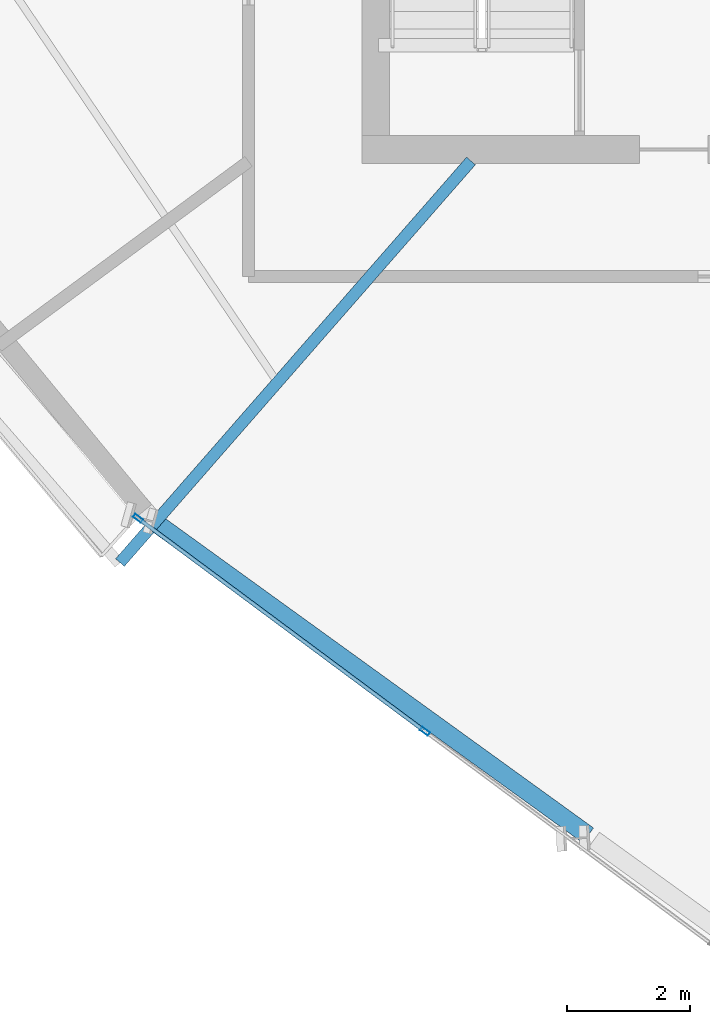
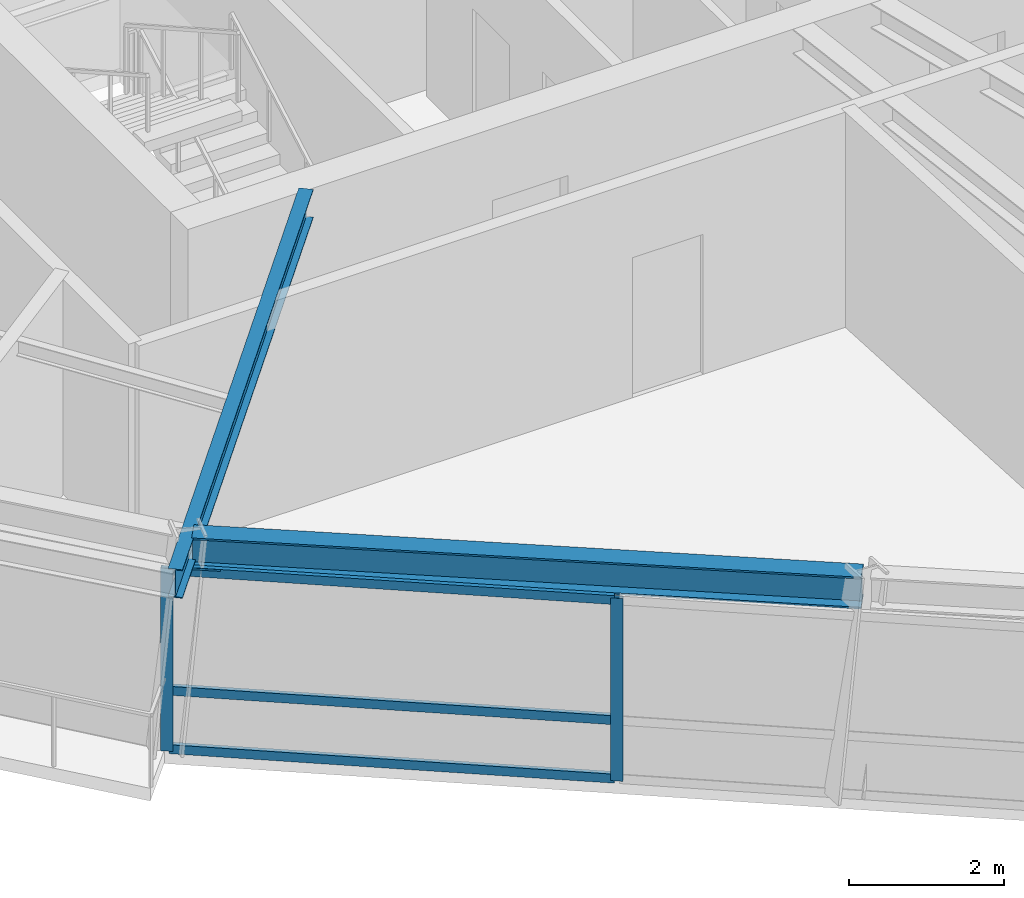
# One storey, part 2 of 14: 5 members, 2 beams, 1 element without a shape of its own.
"""IFC4 building model written with IfcOpenShell, lengths in metres."""

from ifc_helpers import new_model, si_unit, direction, frame, origin, origin_2d, place, context, subcontext, project, spatial, hollow_rectangle, i_section, extrude, source, transform, mapped, material, material_profile, profile_set, type_object, element, aggregate, save


model = new_model("IFC4")

# Units and contexts
model_context = context("Model", 3, precision=1e-05, world=origin(), true_north=direction((0.0, 1.0)))
body_context = subcontext(model_context, "Body", "Model", "MODEL_VIEW")
ifc_project = project(units=[si_unit("LENGTHUNIT", "METRE"), si_unit("AREAUNIT", "SQUARE_METRE"), si_unit("VOLUMEUNIT", "CUBIC_METRE"), si_unit("PLANEANGLEUNIT", "RADIAN"), si_unit("MASSUNIT", "GRAM", prefix="KILO")], contexts=[model_context])

# Site, building, storey
site_placement = place(None, origin())
site = spatial("IfcSite", under=ifc_project, at=site_placement, CompositionType="ELEMENT")
building_placement = place(site_placement, origin())
building = spatial("IfcBuilding", under=site, at=building_placement, Name="Olszyna Solenne Hotel", CompositionType="ELEMENT")
storey_placement = place(building_placement, frame((0.0, 0.0, 230.89990234375)))
storey = spatial("IfcBuildingStorey", under=building, at=storey_placement, Name="L61", CompositionType="ELEMENT", Elevation=230.89990234375)

# Beams
ifc_material_1 = material(Name="Steel S355J2", Category="steel")
ifc_material_profile_1 = material_profile(ifc_material_1, i_section(OverallWidth=0.300048828125, OverallDepth=0.5, WebThickness=0.014404296875, FlangeThickness=0.028076171875, at=origin_2d()), Name="HEB 500", Category="load-bearing")
ifc_profile_set_1 = profile_set([ifc_material_profile_1], Name="Steel S355J2")
beam_type_1 = type_object("IfcBeamType", Name="BM-S3", PredefinedType="BEAM", material=ifc_profile_set_1)
shared_shape_1 = source(origin(), body_context, "Body", "SweptSolid", [
    extrude(i_section(OverallWidth=0.300048828125, OverallDepth=0.5, WebThickness=0.014404296875, FlangeThickness=0.028076171875, at=origin_2d()), origin(), (0.0, 0.0, 1.0), 8.664794921875),
])
beam_1_placement = place(storey_placement, frame((26.31982421875, 13.154541015625, 3.130126953125), z_axis=(0.810465193852, -0.585786795306, 0.0), x_axis=(0.585786795306, 0.810465193852, 0.0)))
element("IfcBeam", 1, at=beam_1_placement, inside=storey, type_object=beam_type_1, Name="Perimeter spandrel beam BM-S3 B-L61-1802", PredefinedType="BEAM", context=body_context, shape_type="MappedRepresentation", body=[
    mapped(shared_shape_1, transform((0.0, 0.0, 0.0), x_axis=(1.0, 0.0, 0.0), y_axis=(0.0, 1.0, 0.0), z_axis=(0.0, 0.0, 1.0), scale=1.0)),
])
ifc_material_profile_2 = material_profile(ifc_material_1, i_section(OverallWidth=0.18994140625, OverallDepth=0.449951171875, WebThickness=0.009521484375, FlangeThickness=0.0146484375, at=origin_2d()), Name="IPE 450", Category="load-bearing")
ifc_profile_set_2 = profile_set([ifc_material_profile_2], Name="Steel S355J2")
beam_type_2 = type_object("IfcBeamType", Name="BM-F4", PredefinedType="BEAM", material=ifc_profile_set_2)
shared_shape_2 = source(origin(), body_context, "Body", "SweptSolid", [
    extrude(i_section(OverallWidth=0.18994140625, OverallDepth=0.449951171875, WebThickness=0.009521484375, FlangeThickness=0.0146484375, at=origin_2d()), origin(), (0.0, 0.0, 1.0), 8.7060546875),
])
beam_2_placement = place(storey_placement, frame((25.700439453125, 12.532470703125, 3.155029296875), z_axis=(0.658079642586, 0.752948327585, 0.0), x_axis=(-0.752948327585, 0.658079642586, 0.0)))
element("IfcBeam", 2, at=beam_2_placement, inside=storey, type_object=beam_type_2, Name="Radial floor girder BM-F4 B-L61-1813", PredefinedType="BEAM", context=body_context, shape_type="MappedRepresentation", body=[
    mapped(shared_shape_2, transform((0.0, 0.0, 0.0), x_axis=(1.0, 0.0, 0.0), y_axis=(0.0, 1.0, 0.0), z_axis=(0.0, 0.0, 1.0), scale=1.0)),
])

# Curtain wall, members
ifc_material_2 = material(Name="Anodised bronze aluminium", Category="aluminium")
curtain_wall_type = type_object("IfcCurtainWallType", Name="CW-SYS-4", PredefinedType="NOTDEFINED", material=ifc_material_2)
curtain_wall_placement = place(storey_placement, origin())
curtain_wall = element("IfcCurtainWall", 3, at=curtain_wall_placement, inside=storey, type_object=curtain_wall_type, Name="Unitised curtain wall CW-SYS-4 CW-L61-01", PredefinedType="NOTDEFINED")
ifc_material_profile_3 = material_profile(ifc_material_2, hollow_rectangle(XDim=0.06494140625, YDim=0.159912109375, WallThickness=0.00390625, at=origin_2d()), Name="MULL 160x65x4", Category="load-bearing")
ifc_profile_set_3 = profile_set([ifc_material_profile_3], Name="Anodised bronze aluminium")
member_type_1 = type_object("IfcMemberType", Name="CW-M3", PredefinedType="MULLION", material=ifc_profile_set_3)
shared_shape_3 = source(origin(), body_context, "Body", "SweptSolid", [
    extrude(hollow_rectangle(XDim=0.06494140625, YDim=0.159912109375, WallThickness=0.00390625, at=origin_2d()), origin(), (0.0, 0.0, 1.0), 2.8720703125),
])
member_1_placement = place(storey_placement, frame((25.99560546875, 13.255126953125, 0.0), z_axis=(0.0, 0.0, 1.0), x_axis=(0.596276180926, 0.802779369478, 0.0)))
member_1 = element("IfcMember", 4, at=member_1_placement, type_object=member_type_1, Name="Curtain-wall mullion CW-M3 CM-L61-01-01", PredefinedType="MULLION", context=body_context, shape_type="MappedRepresentation", body=[
    mapped(shared_shape_3, transform((0.0, 0.0, 0.0), x_axis=(1.0, 0.0, 0.0), y_axis=(0.0, 1.0, 0.0), z_axis=(0.0, 0.0, 1.0), scale=1.0)),
])
member_2_placement = place(storey_placement, frame((30.677978515625, 9.77734375, 0.0), z_axis=(0.0, 0.0, 1.0), x_axis=(0.596276180926, 0.802779369478, 0.0)))
member_2 = element("IfcMember", 5, at=member_2_placement, type_object=member_type_1, Name="Curtain-wall mullion CW-M3 CM-L61-01-02", PredefinedType="MULLION", context=body_context, shape_type="MappedRepresentation", body=[
    mapped(shared_shape_3, transform((0.0, 0.0, 0.0), x_axis=(1.0, 0.0, 0.0), y_axis=(0.0, 1.0, 0.0), z_axis=(0.0, 0.0, 1.0), scale=1.0)),
])
ifc_material_profile_4 = material_profile(ifc_material_2, hollow_rectangle(XDim=0.06494140625, YDim=0.139892578125, WallThickness=0.00390625, at=origin_2d()), Name="TRAN 140x65x4", Category="load-bearing")
ifc_profile_set_4 = profile_set([ifc_material_profile_4], Name="Anodised bronze aluminium")
member_type_2 = type_object("IfcMemberType", Name="CW-T2", PredefinedType="USERDEFINED", material=ifc_profile_set_4)
shared_shape_4 = source(origin(), body_context, "Body", "SweptSolid", [
    extrude(hollow_rectangle(XDim=0.06494140625, YDim=0.139892578125, WallThickness=0.00390625, at=origin_2d()), origin(), (0.0, 0.0, 1.0), 5.767578125),
])
member_3_placement = place(storey_placement, frame((26.021728515625, 13.23583984375, 0.03271484375), z_axis=(0.802769899243, -0.596288930695, 0.0), x_axis=(0.596288930695, 0.802769899243, 0.0)))
member_3 = element("IfcMember", 6, at=member_3_placement, type_object=member_type_2, Name="Curtain-wall transom CW-T2 CT-L61-01-01", ObjectType="TRANSOM", PredefinedType="USERDEFINED", context=body_context, shape_type="MappedRepresentation", body=[
    mapped(shared_shape_4, transform((0.0, 0.0, 0.0), x_axis=(1.0, 0.0, 0.0), y_axis=(0.0, 1.0, 0.0), z_axis=(0.0, 0.0, 1.0), scale=1.0)),
])
member_4_placement = place(storey_placement, frame((26.021728515625, 13.23583984375, 0.9501953125), z_axis=(0.802769899243, -0.596288930695, 0.0), x_axis=(0.596288930695, 0.802769899243, 0.0)))
member_4 = element("IfcMember", 7, at=member_4_placement, type_object=member_type_2, Name="Curtain-wall transom CW-T2 CT-L61-01-02", ObjectType="TRANSOM", PredefinedType="USERDEFINED", context=body_context, shape_type="MappedRepresentation", body=[
    mapped(shared_shape_4, transform((0.0, 0.0, 0.0), x_axis=(1.0, 0.0, 0.0), y_axis=(0.0, 1.0, 0.0), z_axis=(0.0, 0.0, 1.0), scale=1.0)),
])
member_5_placement = place(storey_placement, frame((26.021728515625, 13.23583984375, 2.839599609375), z_axis=(0.802769899243, -0.596288930695, 0.0), x_axis=(0.596288930695, 0.802769899243, 0.0)))
member_5 = element("IfcMember", 8, at=member_5_placement, type_object=member_type_2, Name="Curtain-wall transom CW-T2 CT-L61-01-03", ObjectType="TRANSOM", PredefinedType="USERDEFINED", context=body_context, shape_type="MappedRepresentation", body=[
    mapped(shared_shape_4, transform((0.0, 0.0, 0.0), x_axis=(1.0, 0.0, 0.0), y_axis=(0.0, 1.0, 0.0), z_axis=(0.0, 0.0, 1.0), scale=1.0)),
])
aggregate(curtain_wall, [member_1, member_2, member_3, member_4, member_5])

save(model, "model.ifc")
